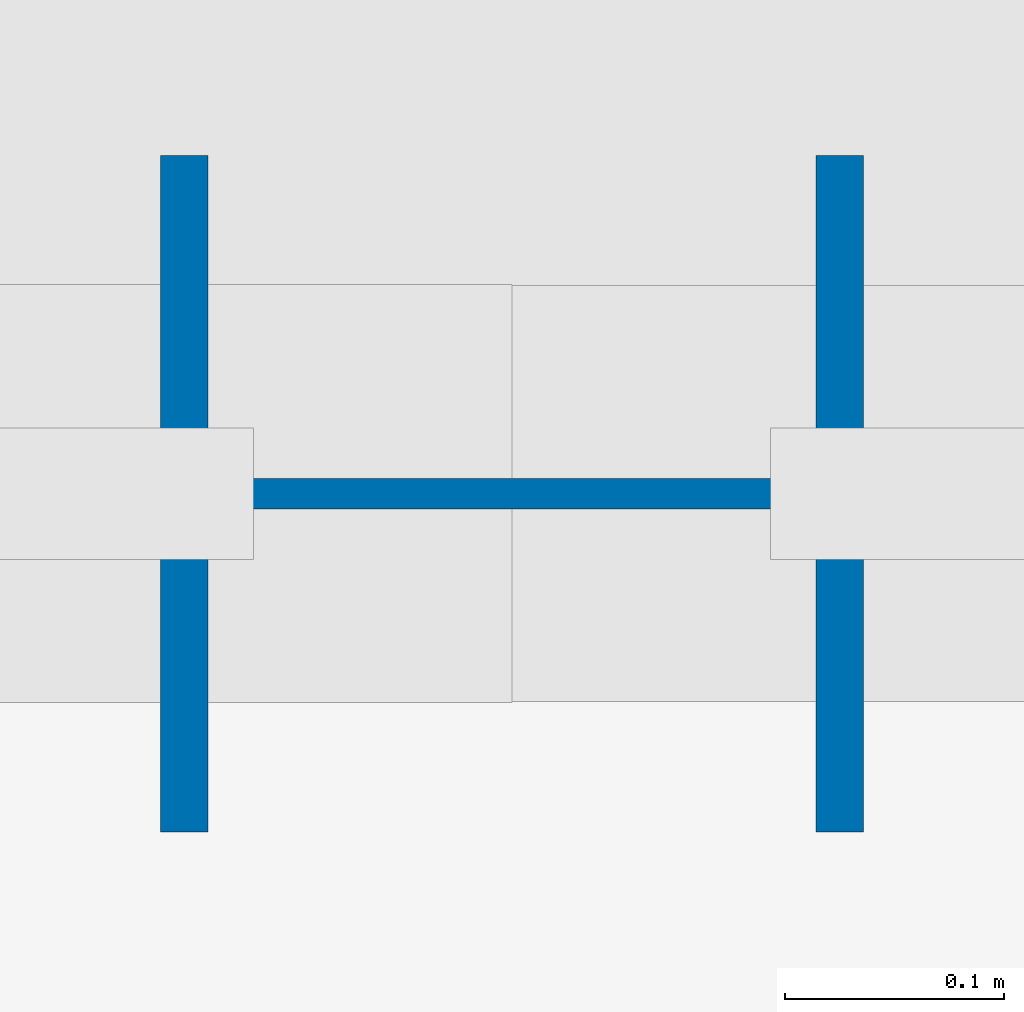
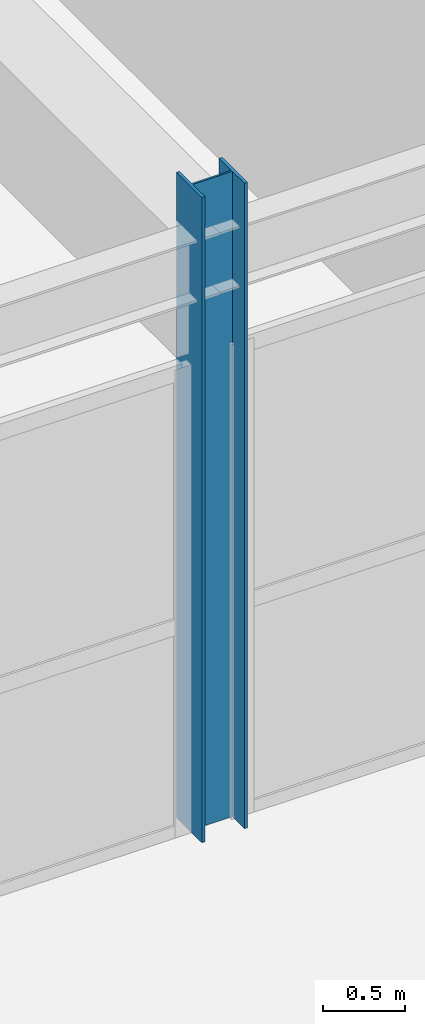
# One storey, part 54 of 199: 1 column.
"""IFC4 building model written with IfcOpenShell, lengths in metres."""

from ifc_helpers import new_model, si_unit, direction, frame, origin, origin_2d, place, context, subcontext, project, spatial, i_section, extrude, material, material_profile, profile_set, type_object, element, save


model = new_model("IFC4")

# Units and contexts
model_context = context("Model", 3, precision=1e-05, world=origin(), true_north=direction((0.0, 1.0)))
body_context = subcontext(model_context, "Body", "Model", "MODEL_VIEW")
ifc_project = project(units=[si_unit("LENGTHUNIT", "METRE"), si_unit("AREAUNIT", "SQUARE_METRE"), si_unit("VOLUMEUNIT", "CUBIC_METRE"), si_unit("PLANEANGLEUNIT", "RADIAN"), si_unit("MASSUNIT", "GRAM", prefix="KILO")], contexts=[model_context])

# Site, building, storey
site_placement = place(None, origin())
site = spatial("IfcSite", under=ifc_project, at=site_placement, CompositionType="ELEMENT")
building_placement = place(site_placement, origin())
building = spatial("IfcBuilding", under=site, at=building_placement, Name="Tarnwether General Hospital", CompositionType="ELEMENT")
storey_placement = place(building_placement, origin())
storey = spatial("IfcBuildingStorey", under=building, at=storey_placement, Name="L00", CompositionType="ELEMENT", Elevation=0.0)

# Column
ifc_material = material(Name="Steel Grade 350 (350 MPa)", Category="steel")
ifc_material_profile = material_profile(ifc_material, i_section(OverallWidth=0.30908203125, OverallDepth=0.321044921875, WebThickness=0.013916015625, FlangeThickness=0.021728515625, at=origin_2d()), Name="310UC137")
ifc_profile_set = profile_set([ifc_material_profile], Name="Steel Grade 350 (350 MPa)")
column_type = type_object("IfcColumnType", Name="COL-06", PredefinedType="COLUMN", material=ifc_profile_set)
column_placement = place(storey_placement, frame((180.0, 81.60009765625, 0.0), z_axis=(0.0, 0.0, 1.0), x_axis=(0.0, 1.0, 0.0)))
element("IfcColumn", 1, at=column_placement, inside=storey, type_object=column_type, Name="Column COLG-L00-18000_8160", PredefinedType="COLUMN", context=body_context, shape_type="SweptSolid", body=[
    extrude(i_section(OverallWidth=0.30908203125, OverallDepth=0.321044921875, WebThickness=0.013916015625, FlangeThickness=0.021728515625, at=origin_2d()), origin(), (0.0, 0.0, 1.0), 4.800048828125),
])

save(model, "model.ifc")
